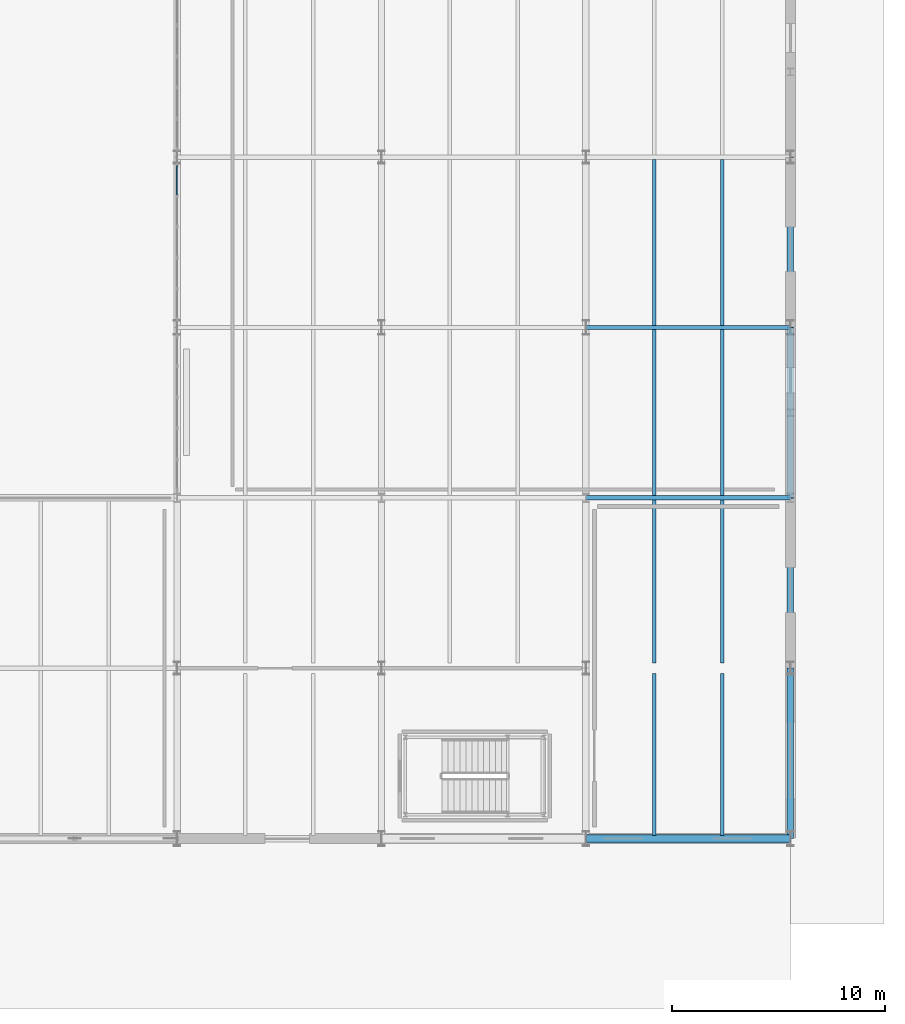
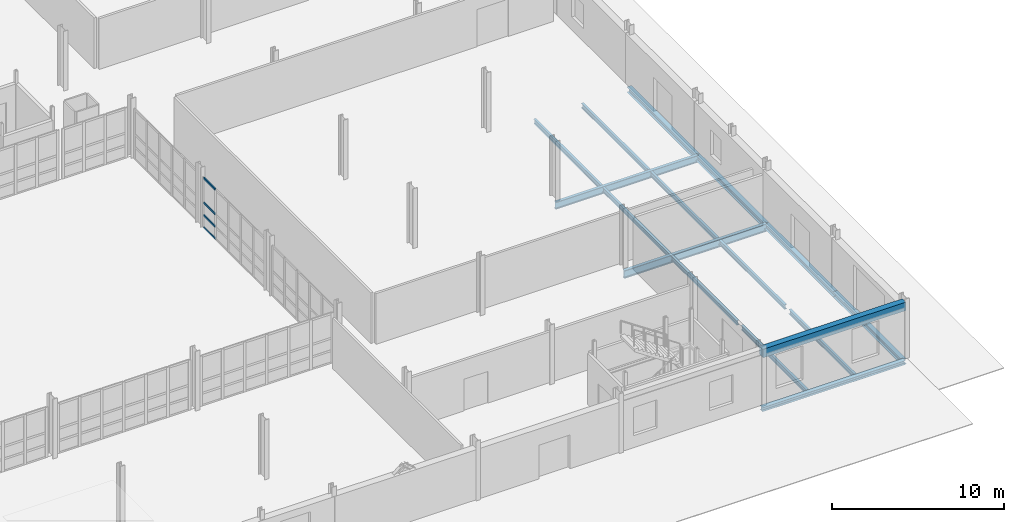
# One storey, part 44 of 78: 16 beams, 4 members, 1 element without a shape of its own.
"""IFC4 building model written with IfcOpenShell, lengths in metres."""

from ifc_helpers import new_model, si_unit, direction, frame, origin, origin_2d, place, context, subcontext, project, spatial, rectangle, i_section, extrude, material, layer, layer_set, material_profile, profile_set, type_object, element, aggregate, save


model = new_model("IFC4")

# Units and contexts
model_context = context("Model", 3, precision=1e-05, world=origin(), true_north=direction((0.0, 1.0)))
body_context = subcontext(model_context, "Body", "Model", "MODEL_VIEW")
ifc_project = project(units=[si_unit("LENGTHUNIT", "METRE"), si_unit("AREAUNIT", "SQUARE_METRE"), si_unit("VOLUMEUNIT", "CUBIC_METRE"), si_unit("PLANEANGLEUNIT", "RADIAN"), si_unit("MASSUNIT", "GRAM", prefix="KILO")], contexts=[model_context])

# Site, building, storey
site_placement = place(None, origin())
site = spatial("IfcSite", under=ifc_project, at=site_placement, CompositionType="ELEMENT")
building_placement = place(site_placement, origin())
building = spatial("IfcBuilding", under=site, at=building_placement, Name="Alderhovde Museum", CompositionType="ELEMENT")
storey_placement = place(building_placement, origin())
storey = spatial("IfcBuildingStorey", under=building, at=storey_placement, Name="L00", CompositionType="ELEMENT", Elevation=0.0)

# Beams
ifc_material_1 = material(Name="Steel S355J2", Category="steel")
ifc_material_profile_1 = material_profile(ifc_material_1, i_section(OverallWidth=0.300048828125, OverallDepth=0.389892578125, WebThickness=0.010986328125, FlangeThickness=0.01904296875, FilletRadius=0.027099609375, at=origin_2d()), Name="HEA 400")
ifc_profile_set_1 = profile_set([ifc_material_profile_1], Name="Steel S355J2")
beam_type_1 = type_object("IfcBeamType", Name="BM-HEA400", PredefinedType="BEAM", material=ifc_profile_set_1)
for number, where, z_axis, x_axis, name in (
    (1, (172.800048828125, 32.0, -0.47509765625), (0.0, 1.0, 0.0), (-1.0, 0.0, 0.0), "L00 Grid Beam X=172.8 (32.0 TO 40.0)"),
    (2, (172.800048828125, 40.0, -0.47509765625), (0.0, 1.0, 0.0), (-1.0, 0.0, 0.0), "L00 Grid Beam X=172.8 (40.0 TO 48.0)"),
    (3, (172.800048828125, 48.0, -0.47509765625), (0.0, 1.0, 0.0), (-1.0, 0.0, 0.0), "L00 Grid Beam X=172.8 (48.0 TO 56.0)"),
    (4, (172.800048828125, 56.0, -0.47509765625), (0.0, 1.0, 0.0), (-1.0, 0.0, 0.0), "L00 Grid Beam X=172.8 (56.0 TO 64.0)"),
):
    element("IfcBeam", number, at=place(storey_placement, frame(where, z_axis=z_axis, x_axis=x_axis)), inside=storey, type_object=beam_type_1, Name=name, PredefinedType="BEAM", context=body_context, shape_type="SweptSolid", body=[
        extrude(i_section(OverallWidth=0.300048828125, OverallDepth=0.389892578125, WebThickness=0.010986328125, FlangeThickness=0.01904296875, FilletRadius=0.027099609375, at=origin_2d()), origin(), (0.0, 0.0, 1.0), 8.0),
    ])
ifc_material_2 = material(Name="Steel S355J2", Category="steel")
ifc_material_profile_2 = material_profile(ifc_material_2, i_section(OverallWidth=0.199951171875, OverallDepth=0.5, WebThickness=0.01025390625, FlangeThickness=0.01611328125, FilletRadius=0.02099609375, at=origin_2d()), Name="IPE 500")
ifc_profile_set_2 = profile_set([ifc_material_profile_2], Name="Steel S355J2")
beam_type_2 = type_object("IfcBeamType", Name="BM-IPE500", PredefinedType="BEAM", material=ifc_profile_set_2)
beam_1_placement = place(storey_placement, frame((163.199951171875, 56.0, -0.530029296875), z_axis=(1.0, 0.0, 0.0), x_axis=(0.0, 1.0, 0.0)))
element("IfcBeam", 5, at=beam_1_placement, inside=storey, type_object=beam_type_2, Name="L00 Grid Beam Y=56.0 (163.2 TO 172.8)", PredefinedType="BEAM", context=body_context, shape_type="SweptSolid", body=[
    extrude(i_section(OverallWidth=0.199951171875, OverallDepth=0.5, WebThickness=0.01025390625, FlangeThickness=0.01611328125, FilletRadius=0.02099609375, at=origin_2d()), origin(), (0.0, 0.0, 1.0), 9.60009765625),
])
ifc_material_3 = material(Name="Steel S355J2", Category="steel")
ifc_material_profile_3 = material_profile(ifc_material_3, i_section(OverallWidth=0.2099609375, OverallDepth=0.550048828125, WebThickness=0.010986328125, FlangeThickness=0.01708984375, FilletRadius=0.02392578125, at=origin_2d()), Name="IPE 550")
ifc_profile_set_3 = profile_set([ifc_material_profile_3], Name="Steel S355J2")
beam_type_3 = type_object("IfcBeamType", Name="BM-IPE550", PredefinedType="BEAM", material=ifc_profile_set_3)
beam_2_placement = place(storey_placement, frame((163.199951171875, 48.0, -0.554931640625), z_axis=(1.0, 0.0, 0.0), x_axis=(0.0, 1.0, 0.0)))
element("IfcBeam", 6, at=beam_2_placement, inside=storey, type_object=beam_type_3, Name="L00 Grid Beam Y=48.0 (163.2 TO 172.8)", PredefinedType="BEAM", context=body_context, shape_type="SweptSolid", body=[
    extrude(i_section(OverallWidth=0.2099609375, OverallDepth=0.550048828125, WebThickness=0.010986328125, FlangeThickness=0.01708984375, FilletRadius=0.02392578125, at=origin_2d()), origin(), (0.0, 0.0, 1.0), 9.60009765625),
])

# Curtain wall, members
ifc_material_4 = material(Name="Triple-Glazed Bronze-Anodised Curtain Wall", Category="glass")
ifc_layer = layer(ifc_material_4, 0.179931640625)
ifc_layer_set = layer_set([ifc_layer], Name="Triple-Glazed Bronze-Anodised Curtain Wall")
curtain_wall_type = type_object("IfcCurtainWallType", Name="CW-STIC-730x356", PredefinedType="USERDEFINED", material=ifc_layer_set)
curtain_wall_placement = place(storey_placement, origin())
curtain_wall = element("IfcCurtainWall", 7, at=curtain_wall_placement, inside=storey, type_object=curtain_wall_type, Name="L00 Stick Curtain Wall 141", ObjectType="STICK CURTAIN WALL", PredefinedType="USERDEFINED")
ifc_material_5 = material(Name="Bronze-Anodised Aluminium EN AW-6063-T6", Category="aluminium")
ifc_material_profile_4 = material_profile(ifc_material_5, rectangle(XDim=0.06494140625, YDim=0.139892578125, at=origin_2d()), Name="TRANSOM 65x140")
ifc_profile_set_4 = profile_set([ifc_material_profile_4], Name="Bronze-Anodised Aluminium EN AW-6063-T6")
member_type = type_object("IfcMemberType", Name="CWT-65x140", PredefinedType="USERDEFINED", material=ifc_profile_set_4)
member_1_placement = place(storey_placement, frame((144.0, 62.222412109375, 0.032470703125), z_axis=(0.0, 1.0, 0.0), x_axis=(-1.0, 0.0, 0.0)))
member_1 = element("IfcMember", 8, at=member_1_placement, type_object=member_type, Name="CW33 transom 5.1", ObjectType="TRANSOM", PredefinedType="USERDEFINED", context=body_context, shape_type="SweptSolid", body=[
    extrude(rectangle(XDim=0.06494140625, YDim=0.139892578125, at=origin_2d()), origin(), (0.0, 0.0, 1.0), 1.362548828125),
])
member_2_placement = place(storey_placement, frame((144.0, 62.222412109375, 0.89990234375), z_axis=(0.0, 1.0, 0.0), x_axis=(-1.0, 0.0, 0.0)))
member_2 = element("IfcMember", 9, at=member_2_placement, type_object=member_type, Name="CW33 transom 5.2", ObjectType="TRANSOM", PredefinedType="USERDEFINED", context=body_context, shape_type="SweptSolid", body=[
    extrude(rectangle(XDim=0.06494140625, YDim=0.139892578125, at=origin_2d()), origin(), (0.0, 0.0, 1.0), 1.362548828125),
])
member_3_placement = place(storey_placement, frame((144.0, 62.222412109375, 1.780029296875), z_axis=(0.0, 1.0, 0.0), x_axis=(-1.0, 0.0, 0.0)))
member_3 = element("IfcMember", 10, at=member_3_placement, type_object=member_type, Name="CW33 transom 5.3", ObjectType="TRANSOM", PredefinedType="USERDEFINED", context=body_context, shape_type="SweptSolid", body=[
    extrude(rectangle(XDim=0.06494140625, YDim=0.139892578125, at=origin_2d()), origin(), (0.0, 0.0, 1.0), 1.362548828125),
])
member_4_placement = place(storey_placement, frame((144.0, 62.222412109375, 3.527587890625), z_axis=(0.0, 1.0, 0.0), x_axis=(-1.0, 0.0, 0.0)))
member_4 = element("IfcMember", 11, at=member_4_placement, type_object=member_type, Name="CW33 transom 5.4", ObjectType="TRANSOM", PredefinedType="USERDEFINED", context=body_context, shape_type="SweptSolid", body=[
    extrude(rectangle(XDim=0.06494140625, YDim=0.139892578125, at=origin_2d()), origin(), (0.0, 0.0, 1.0), 1.362548828125),
])
aggregate(curtain_wall, [member_1, member_2, member_3, member_4])

# Beams
ifc_material_6 = material(Name="Steel S355J2", Category="steel")
ifc_material_profile_5 = material_profile(ifc_material_6, i_section(OverallWidth=0.159912109375, OverallDepth=0.330078125, WebThickness=0.007568359375, FlangeThickness=0.011474609375, FilletRadius=0.01806640625, at=origin_2d()), Name="IPE 330")
ifc_profile_set_5 = profile_set([ifc_material_profile_5], Name="Steel S355J2")
beam_type_4 = type_object("IfcBeamType", Name="JST-IPE330", PredefinedType="JOIST", material=ifc_profile_set_5)
for number, where, z_axis, x_axis, name in (
    (12, (166.39990234375, 32.14990234375, -0.445068359375), (0.0, 1.0, 0.0), (-1.0, 0.0, 0.0), "L00 Composite Joist X=166.4 (32.0 TO 40.0)"),
    (13, (169.60009765625, 32.14990234375, -0.445068359375), (0.0, 1.0, 0.0), (-1.0, 0.0, 0.0), "L00 Composite Joist X=169.6 (32.0 TO 40.0)"),
):
    element("IfcBeam", number, at=place(storey_placement, frame(where, z_axis=z_axis, x_axis=x_axis)), inside=storey, type_object=beam_type_4, Name=name, PredefinedType="JOIST", context=body_context, shape_type="SweptSolid", body=[
        extrude(i_section(OverallWidth=0.159912109375, OverallDepth=0.330078125, WebThickness=0.007568359375, FlangeThickness=0.011474609375, FilletRadius=0.01806640625, at=origin_2d()), origin(), (0.0, 0.0, 1.0), 7.60009765625),
    ])
for number, where, z_axis, x_axis, name in (
    (14, (166.39990234375, 40.25, -0.445068359375), (0.0, 1.0, 0.0), (-1.0, 0.0, 0.0), "L00 Composite Joist X=166.4 (40.0 TO 48.0)"),
    (15, (169.60009765625, 40.25, -0.445068359375), (0.0, 1.0, 0.0), (-1.0, 0.0, 0.0), "L00 Composite Joist X=169.6 (40.0 TO 48.0)"),
):
    element("IfcBeam", number, at=place(storey_placement, frame(where, z_axis=z_axis, x_axis=x_axis)), inside=storey, type_object=beam_type_4, Name=name, PredefinedType="JOIST", context=body_context, shape_type="SweptSolid", body=[
        extrude(i_section(OverallWidth=0.159912109375, OverallDepth=0.330078125, WebThickness=0.007568359375, FlangeThickness=0.011474609375, FilletRadius=0.01806640625, at=origin_2d()), origin(), (0.0, 0.0, 1.0), 7.64501953125),
    ])
for number, where, z_axis, x_axis, name in (
    (16, (166.39990234375, 48.10498046875, -0.445068359375), (0.0, 1.0, 0.0), (-1.0, 0.0, 0.0), "L00 Composite Joist X=166.4 (48.0 TO 56.0)"),
    (17, (169.60009765625, 48.10498046875, -0.445068359375), (0.0, 1.0, 0.0), (-1.0, 0.0, 0.0), "L00 Composite Joist X=169.6 (48.0 TO 56.0)"),
    (18, (166.39990234375, 56.10009765625, -0.445068359375), (0.0, 1.0, 0.0), (-1.0, 0.0, 0.0), "L00 Composite Joist X=166.4 (56.0 TO 64.0)"),
    (19, (169.60009765625, 56.10009765625, -0.445068359375), (0.0, 1.0, 0.0), (-1.0, 0.0, 0.0), "L00 Composite Joist X=169.6 (56.0 TO 64.0)"),
):
    element("IfcBeam", number, at=place(storey_placement, frame(where, z_axis=z_axis, x_axis=x_axis)), inside=storey, type_object=beam_type_4, Name=name, PredefinedType="JOIST", context=body_context, shape_type="SweptSolid", body=[
        extrude(i_section(OverallWidth=0.159912109375, OverallDepth=0.330078125, WebThickness=0.007568359375, FlangeThickness=0.011474609375, FilletRadius=0.01806640625, at=origin_2d()), origin(), (0.0, 0.0, 1.0), 7.794921875),
    ])
ifc_material_7 = material(Name="Concrete C40/50", Category="concrete")
ifc_material_profile_6 = material_profile(ifc_material_7, rectangle(XDim=0.39990234375, YDim=0.60009765625, at=origin_2d()), Name="RC 400x600")
ifc_profile_set_6 = profile_set([ifc_material_profile_6], Name="Concrete C40/50")
beam_type_5 = type_object("IfcBeamType", Name="LNT-RC400x600", PredefinedType="LINTEL", material=ifc_profile_set_6)
beam_3_placement = place(storey_placement, frame((163.199951171875, 32.0, 3.60009765625), z_axis=(1.0, 0.0, 0.0), x_axis=(0.0, 1.0, 0.0)))
element("IfcBeam", 20, at=beam_3_placement, inside=storey, type_object=beam_type_5, Name="L00 Portal Lintel 8", PredefinedType="LINTEL", context=body_context, shape_type="SweptSolid", body=[
    extrude(rectangle(XDim=0.39990234375, YDim=0.60009765625, at=origin_2d()), origin(), (0.0, 0.0, 1.0), 9.60009765625),
])
ifc_material_8 = material(Name="Steel S355J2", Category="steel")
ifc_material_profile_7 = material_profile(ifc_material_8, i_section(OverallWidth=0.300048828125, OverallDepth=0.2900390625, WebThickness=0.008544921875, FlangeThickness=0.013916015625, FilletRadius=0.027099609375, at=origin_2d()), Name="HEA 300")
ifc_profile_set_7 = profile_set([ifc_material_profile_7], Name="Steel S355J2")
beam_type_6 = type_object("IfcBeamType", Name="SPD-HEA300", PredefinedType="SPANDREL", material=ifc_profile_set_7)
beam_4_placement = place(storey_placement, frame((163.199951171875, 32.0, -0.425048828125), z_axis=(1.0, 0.0, 0.0), x_axis=(0.0, 1.0, 0.0)))
element("IfcBeam", 21, at=beam_4_placement, inside=storey, type_object=beam_type_6, Name="L00 Grid Beam Y=32.0 (163.2 TO 172.8)", PredefinedType="SPANDREL", context=body_context, shape_type="SweptSolid", body=[
    extrude(i_section(OverallWidth=0.300048828125, OverallDepth=0.2900390625, WebThickness=0.008544921875, FlangeThickness=0.013916015625, FilletRadius=0.027099609375, at=origin_2d()), origin(), (0.0, 0.0, 1.0), 9.60009765625),
])

save(model, "model.ifc")
